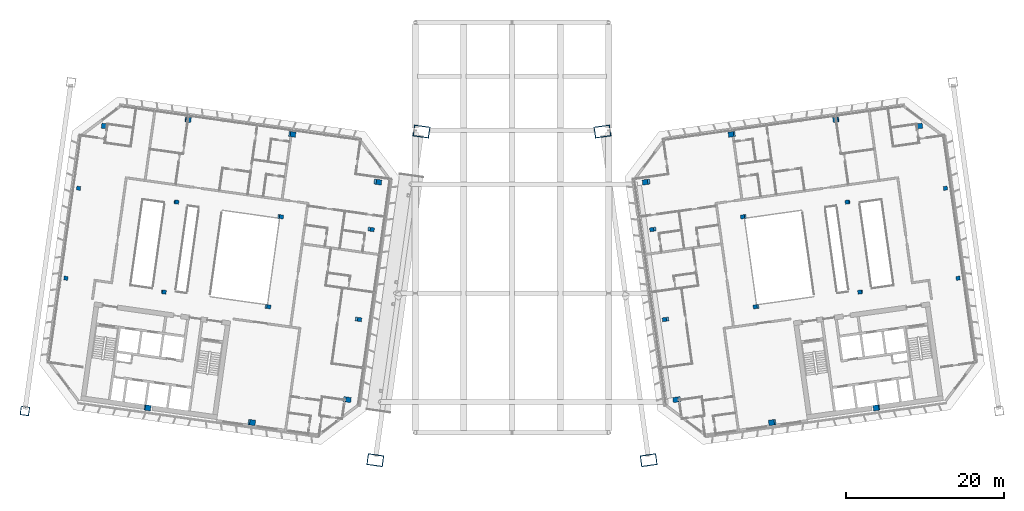
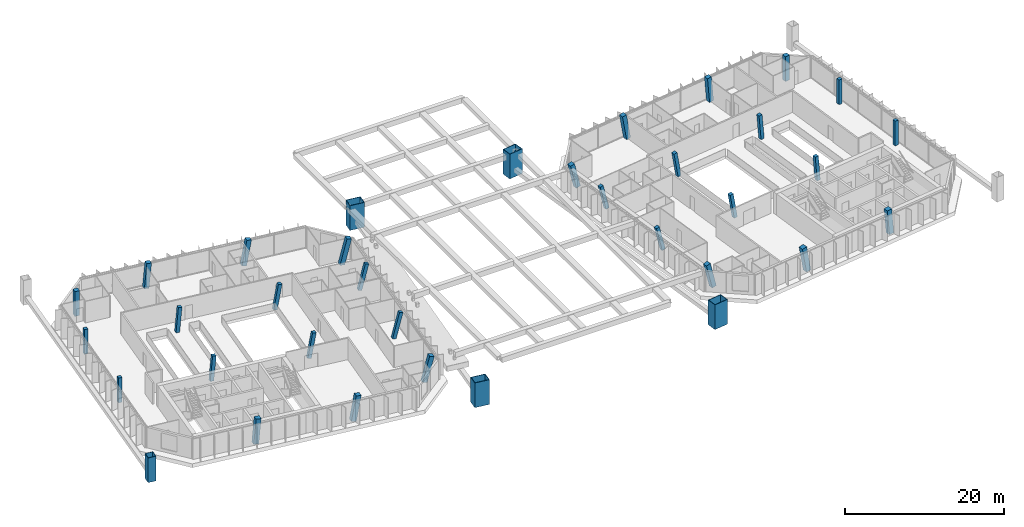
# One storey, part 1 of 36: 34 columns, 1 member.
"""IFC4 building model written with IfcOpenShell, lengths in metres."""

from ifc_helpers import new_model, si_unit, direction, frame, origin, origin_2d, place, context, subcontext, project, spatial, rectangle, hollow_rectangle, extrude, material, material_profile, profile_set, type_object, element, save


model = new_model("IFC4")

# Units and contexts
model_context = context("Model", 3, precision=1e-05, world=origin(), true_north=direction((0.0, 1.0)))
body_context = subcontext(model_context, "Body", "Model", "MODEL_VIEW")
ifc_project = project(units=[si_unit("LENGTHUNIT", "METRE"), si_unit("AREAUNIT", "SQUARE_METRE"), si_unit("VOLUMEUNIT", "CUBIC_METRE"), si_unit("PLANEANGLEUNIT", "RADIAN"), si_unit("MASSUNIT", "GRAM", prefix="KILO")], contexts=[model_context])

# Site, building, storey
site_placement = place(None, origin())
site = spatial("IfcSite", under=ifc_project, at=site_placement, CompositionType="ELEMENT")
building_placement = place(site_placement, origin())
building = spatial("IfcBuilding", under=site, at=building_placement, Name="Mirante Cascada Hotel Towers", CompositionType="ELEMENT")
storey_placement = place(building_placement, frame((0.0, 0.0, 254.6)))
storey = spatial("IfcBuildingStorey", under=building, at=storey_placement, Name="L61", CompositionType="ELEMENT", Elevation=254.6)

# Columns
ifc_material_1 = material(Name="Steel ASTM A572 Gr 50", Category="steel")
ifc_material_profile_1 = material_profile(ifc_material_1, hollow_rectangle(XDim=2.0, YDim=1.4, WallThickness=0.06, at=origin_2d()), Name="Box column 1400x2000x60 ASTM A572 Gr 50")
ifc_profile_set_1 = profile_set([ifc_material_profile_1], Name="Steel ASTM A572 Gr 50")
column_type_1 = type_object("IfcColumnType", Name="Box column 1400x2000x60 ASTM A572 Gr 50", PredefinedType="COLUMN", material=ifc_profile_set_1)
for number, where, z_axis, x_axis, name in (
    (1, (-11.4512, 16.5995, 0.0), (0.0, 0.0, 1.0), (-0.9902681, 0.1391731, 0.0), "Mega column MC1 T1 L61"),
    (2, (-17.2965, -24.9917, 0.0), (0.0, 0.0, 1.0), (-0.9902681, 0.1391731, 0.0), "Mega column MC2 T1 L61"),
    (3, (11.4512, 16.5995, 0.0), (0.0, 0.0, 1.0), (0.9902681, 0.1391731, 0.0), "Mega column MC1 T2 L61"),
    (4, (17.2965, -24.9917, 0.0), (0.0, 0.0, 1.0), (0.9902681, 0.1391731, 0.0), "Mega column MC2 T2 L61"),
):
    element("IfcColumn", number, at=place(storey_placement, frame(where, z_axis=z_axis, x_axis=x_axis)), inside=storey, type_object=column_type_1, Name=name, PredefinedType="COLUMN", context=body_context, shape_type="SweptSolid", body=[
        extrude(hollow_rectangle(XDim=2.0, YDim=1.4, WallThickness=0.06, at=origin_2d()), origin(), (0.0, 0.0, 1.0), 3.8),
    ])
ifc_material_2 = material(Name="Concrete C50/60", Category="concrete")
ifc_material_profile_2 = material_profile(ifc_material_2, rectangle(XDim=0.5, YDim=0.5, at=origin_2d()), Name="RC column 500x500 C50/60")
ifc_profile_set_2 = profile_set([ifc_material_profile_2], Name="Concrete C50/60")
column_type_2 = type_object("IfcColumnType", Name="RC column 500x500 C50/60", PredefinedType="COLUMN", material=ifc_profile_set_2)
for number, where, z_axis, x_axis, name in (
    (5, (-17.978, 4.2376, 0.0039), (0.240627, -0.0338162, 0.9700284), (0.1391661, 0.990269, 0.0), "Column T1 L61 2"),
    (6, (-19.5785, -7.1505, 0.0039), (0.240627, -0.0338162, 0.9700284), (0.1391661, 0.990269, 0.0), "Column T1 L61 3"),
):
    element("IfcColumn", number, at=place(storey_placement, frame(where, z_axis=z_axis, x_axis=x_axis)), inside=storey, type_object=column_type_2, Name=name, PredefinedType="COLUMN", context=body_context, shape_type="SweptSolid", body=[
        extrude(rectangle(XDim=0.5, YDim=0.5, at=origin_2d()), origin(), (0.0, 0.0, 1.0), 3.9094),
    ])
for number, where, z_axis, x_axis, name in (
    (7, (-29.377, 5.8396, 0.0039), (0.1697758, -0.0238751, 0.9851935), (0.1392572, 0.9902563, 0.0), "Column T1 L61 6"),
    (8, (-30.9774, -5.5485, 0.0039), (0.1697507, -0.0238493, 0.9851984), (0.1391294, 0.9902742, 0.0), "Column T1 L61 7"),
):
    element("IfcColumn", number, at=place(storey_placement, frame(where, z_axis=z_axis, x_axis=x_axis)), inside=storey, type_object=column_type_2, Name=name, PredefinedType="COLUMN", context=body_context, shape_type="SweptSolid", body=[
        extrude(rectangle(XDim=0.5, YDim=0.5, at=origin_2d()), origin(), (0.0, 0.0, 1.0), 3.8492),
    ])
for number, where, z_axis, x_axis, name in (
    (9, (-42.5108, 7.6854, 0.004), (0.0858308, -0.0120589, 0.9962367), (0.1391294, 0.9902742, 0.0), "Column T1 L61 10"),
    (10, (-44.1113, -3.7027, 0.004), (0.0858308, -0.0120589, 0.9962367), (0.1391294, 0.9902742, 0.0), "Column T1 L61 11"),
):
    element("IfcColumn", number, at=place(storey_placement, frame(where, z_axis=z_axis, x_axis=x_axis)), inside=storey, type_object=column_type_2, Name=name, PredefinedType="COLUMN", context=body_context, shape_type="SweptSolid", body=[
        extrude(rectangle(XDim=0.5, YDim=0.5, at=origin_2d()), origin(), (0.0, 0.0, 1.0), 3.8063),
    ])
for number, where, z_axis, x_axis, name in (
    (11, (-54.8525, 9.4199, 0.0), (0.0, 0.0, 1.0), (-0.9902681, 0.1391731, 0.0), "Column T1 L61 14"),
    (12, (-56.453, -1.9681, 0.0), (0.0, 0.0, 1.0), (-0.9902681, 0.1391731, 0.0), "Column T1 L61 15"),
):
    element("IfcColumn", number, at=place(storey_placement, frame(where, z_axis=z_axis, x_axis=x_axis)), inside=storey, type_object=column_type_2, Name=name, PredefinedType="COLUMN", context=body_context, shape_type="SweptSolid", body=[
        extrude(rectangle(XDim=0.5, YDim=0.5, at=origin_2d()), origin(), (0.0, 0.0, 1.0), 3.8),
    ])
for number, where, z_axis, x_axis, name in (
    (13, (17.978, 4.2376, 0.0039), (-0.240627, -0.0338162, 0.9700284), (0.1391661, -0.990269, 0.0), "Column T2 L61 2"),
    (14, (19.5785, -7.1505, 0.0039), (-0.240627, -0.0338162, 0.9700284), (0.1391661, -0.990269, 0.0), "Column T2 L61 3"),
):
    element("IfcColumn", number, at=place(storey_placement, frame(where, z_axis=z_axis, x_axis=x_axis)), inside=storey, type_object=column_type_2, Name=name, PredefinedType="COLUMN", context=body_context, shape_type="SweptSolid", body=[
        extrude(rectangle(XDim=0.5, YDim=0.5, at=origin_2d()), origin(), (0.0, 0.0, 1.0), 3.9094),
    ])
for number, where, z_axis, x_axis, name in (
    (15, (29.377, 5.8396, 0.0039), (-0.1697758, -0.0238751, 0.9851935), (0.1392572, -0.9902563, 0.0), "Column T2 L61 6"),
    (16, (30.9774, -5.5485, 0.0039), (-0.1697507, -0.0238493, 0.9851984), (0.1391294, -0.9902742, 0.0), "Column T2 L61 7"),
):
    element("IfcColumn", number, at=place(storey_placement, frame(where, z_axis=z_axis, x_axis=x_axis)), inside=storey, type_object=column_type_2, Name=name, PredefinedType="COLUMN", context=body_context, shape_type="SweptSolid", body=[
        extrude(rectangle(XDim=0.5, YDim=0.5, at=origin_2d()), origin(), (0.0, 0.0, 1.0), 3.8492),
    ])
for number, where, z_axis, x_axis, name in (
    (17, (42.5108, 7.6854, 0.004), (-0.0858308, -0.0120589, 0.9962367), (0.1391294, -0.9902742, 0.0), "Column T2 L61 10"),
    (18, (44.1113, -3.7027, 0.004), (-0.0858308, -0.0120589, 0.9962367), (0.1391294, -0.9902742, 0.0), "Column T2 L61 11"),
):
    element("IfcColumn", number, at=place(storey_placement, frame(where, z_axis=z_axis, x_axis=x_axis)), inside=storey, type_object=column_type_2, Name=name, PredefinedType="COLUMN", context=body_context, shape_type="SweptSolid", body=[
        extrude(rectangle(XDim=0.5, YDim=0.5, at=origin_2d()), origin(), (0.0, 0.0, 1.0), 3.8063),
    ])
for number, where, z_axis, x_axis, name in (
    (19, (54.8525, 9.4199, 0.0), (0.0, 0.0, 1.0), (0.9902681, 0.1391731, 0.0), "Column T2 L61 14"),
    (20, (56.453, -1.9681, 0.0), (0.0, 0.0, 1.0), (0.9902681, 0.1391731, 0.0), "Column T2 L61 15"),
):
    element("IfcColumn", number, at=place(storey_placement, frame(where, z_axis=z_axis, x_axis=x_axis)), inside=storey, type_object=column_type_2, Name=name, PredefinedType="COLUMN", context=body_context, shape_type="SweptSolid", body=[
        extrude(rectangle(XDim=0.5, YDim=0.5, at=origin_2d()), origin(), (0.0, 0.0, 1.0), 3.8),
    ])
ifc_material_3 = material(Name="Concrete C50/60", Category="concrete")
ifc_material_profile_3 = material_profile(ifc_material_3, rectangle(XDim=0.65, YDim=0.65, at=origin_2d()), Name="RC column 650x650 C50/60")
ifc_profile_set_3 = profile_set([ifc_material_profile_3], Name="Concrete C50/60")
column_type_3 = type_object("IfcColumnType", Name="RC column 650x650 C50/60", PredefinedType="COLUMN", material=ifc_profile_set_3)
for number, where, z_axis, x_axis, name in (
    (21, (-17.136, 10.2287, 0.0039), (0.240627, -0.0338162, 0.9700284), (0.1391661, 0.990269, 0.0), "Column T1 L61 1"),
    (22, (-21.005, -17.3008, 0.0039), (0.240627, -0.0338162, 0.9700284), (0.1391661, 0.990269, 0.0), "Column T1 L61 4"),
):
    element("IfcColumn", number, at=place(storey_placement, frame(where, z_axis=z_axis, x_axis=x_axis)), inside=storey, type_object=column_type_3, Name=name, PredefinedType="COLUMN", context=body_context, shape_type="SweptSolid", body=[
        extrude(rectangle(XDim=0.65, YDim=0.65, at=origin_2d()), origin(), (0.0, 0.0, 1.0), 3.9094),
    ])
column_1_placement = place(storey_placement, frame((-27.9122, 16.2622, 0.0039), z_axis=(0.1697758, -0.0238751, 0.9851935), x_axis=(0.1392572, 0.9902563, 0.0)))
element("IfcColumn", 23, at=column_1_placement, inside=storey, type_object=column_type_3, Name="Column T1 L61 5", PredefinedType="COLUMN", context=body_context, shape_type="SweptSolid", body=[
    extrude(rectangle(XDim=0.65, YDim=0.65, at=origin_2d()), origin(), (0.0, 0.0, 1.0), 3.8492),
])
column_2_placement = place(storey_placement, frame((-41.046, 18.108, 0.004), z_axis=(0.0858308, -0.0120589, 0.9962367), x_axis=(0.1391294, 0.9902742, 0.0)))
element("IfcColumn", 24, at=column_2_placement, inside=storey, type_object=column_type_3, Name="Column T1 L61 9", PredefinedType="COLUMN", context=body_context, shape_type="SweptSolid", body=[
    extrude(rectangle(XDim=0.65, YDim=0.65, at=origin_2d()), origin(), (0.0, 0.0, 1.0), 3.8063),
])
column_3_placement = place(storey_placement, frame((-51.6248, 17.2974, 0.0), z_axis=(0.0, 0.0, 1.0), x_axis=(-0.9902681, 0.1391731, 0.0)))
element("IfcColumn", 25, at=column_3_placement, inside=storey, type_object=column_type_3, Name="Column T1 L61 13", PredefinedType="COLUMN", context=body_context, shape_type="SweptSolid", body=[
    extrude(rectangle(XDim=0.65, YDim=0.65, at=origin_2d()), origin(), (0.0, 0.0, 1.0), 3.8),
])
for number, where, z_axis, x_axis, name in (
    (26, (17.136, 10.2287, 0.0039), (-0.240627, -0.0338162, 0.9700284), (0.1391661, -0.990269, 0.0), "Column T2 L61 1"),
    (27, (21.005, -17.3008, 0.0039), (-0.240627, -0.0338162, 0.9700284), (0.1391661, -0.990269, 0.0), "Column T2 L61 4"),
):
    element("IfcColumn", number, at=place(storey_placement, frame(where, z_axis=z_axis, x_axis=x_axis)), inside=storey, type_object=column_type_3, Name=name, PredefinedType="COLUMN", context=body_context, shape_type="SweptSolid", body=[
        extrude(rectangle(XDim=0.65, YDim=0.65, at=origin_2d()), origin(), (0.0, 0.0, 1.0), 3.9094),
    ])
column_4_placement = place(storey_placement, frame((27.9122, 16.2622, 0.0039), z_axis=(-0.1697758, -0.0238751, 0.9851935), x_axis=(0.1392572, -0.9902563, 0.0)))
element("IfcColumn", 28, at=column_4_placement, inside=storey, type_object=column_type_3, Name="Column T2 L61 5", PredefinedType="COLUMN", context=body_context, shape_type="SweptSolid", body=[
    extrude(rectangle(XDim=0.65, YDim=0.65, at=origin_2d()), origin(), (0.0, 0.0, 1.0), 3.8492),
])
column_5_placement = place(storey_placement, frame((41.046, 18.108, 0.004), z_axis=(-0.0858308, -0.0120589, 0.9962367), x_axis=(0.1391294, -0.9902742, 0.0)))
element("IfcColumn", 29, at=column_5_placement, inside=storey, type_object=column_type_3, Name="Column T2 L61 9", PredefinedType="COLUMN", context=body_context, shape_type="SweptSolid", body=[
    extrude(rectangle(XDim=0.65, YDim=0.65, at=origin_2d()), origin(), (0.0, 0.0, 1.0), 3.8063),
])
column_6_placement = place(storey_placement, frame((51.6248, 17.2974, 0.0), z_axis=(0.0, 0.0, 1.0), x_axis=(0.9902681, 0.1391731, 0.0)))
element("IfcColumn", 30, at=column_6_placement, inside=storey, type_object=column_type_3, Name="Column T2 L61 13", PredefinedType="COLUMN", context=body_context, shape_type="SweptSolid", body=[
    extrude(rectangle(XDim=0.65, YDim=0.65, at=origin_2d()), origin(), (0.0, 0.0, 1.0), 3.8),
])
ifc_material_4 = material(Name="Concrete C50/60", Category="concrete")
ifc_material_profile_4 = material_profile(ifc_material_4, rectangle(XDim=0.7, YDim=0.7, at=origin_2d()), Name="RC column 700x700 C50/60")
ifc_profile_set_4 = profile_set([ifc_material_profile_4], Name="Concrete C50/60")
column_type_4 = type_object("IfcColumnType", Name="RC column 700x700 C50/60", PredefinedType="COLUMN", material=ifc_profile_set_4)
column_7_placement = place(storey_placement, frame((-33.0372, -20.2045, 0.0039), z_axis=(0.1697507, -0.0238493, 0.9851984), x_axis=(0.1391294, 0.9902742, 0.0)))
element("IfcColumn", 31, at=column_7_placement, inside=storey, type_object=column_type_4, Name="Column T1 L61 8", PredefinedType="COLUMN", context=body_context, shape_type="SweptSolid", body=[
    extrude(rectangle(XDim=0.7, YDim=0.7, at=origin_2d()), origin(), (0.0, 0.0, 1.0), 3.8492),
])
column_8_placement = place(storey_placement, frame((-46.1711, -18.3586, 0.004), z_axis=(0.0858308, -0.0120589, 0.9962367), x_axis=(0.1391294, 0.9902742, 0.0)))
element("IfcColumn", 32, at=column_8_placement, inside=storey, type_object=column_type_4, Name="Column T1 L61 12", PredefinedType="COLUMN", context=body_context, shape_type="SweptSolid", body=[
    extrude(rectangle(XDim=0.7, YDim=0.7, at=origin_2d()), origin(), (0.0, 0.0, 1.0), 3.8063),
])
column_9_placement = place(storey_placement, frame((33.0372, -20.2045, 0.0039), z_axis=(-0.1697507, -0.0238493, 0.9851984), x_axis=(0.1391294, -0.9902742, 0.0)))
element("IfcColumn", 33, at=column_9_placement, inside=storey, type_object=column_type_4, Name="Column T2 L61 8", PredefinedType="COLUMN", context=body_context, shape_type="SweptSolid", body=[
    extrude(rectangle(XDim=0.7, YDim=0.7, at=origin_2d()), origin(), (0.0, 0.0, 1.0), 3.8492),
])
column_10_placement = place(storey_placement, frame((46.1711, -18.3586, 0.004), z_axis=(-0.0858308, -0.0120589, 0.9962367), x_axis=(0.1391294, -0.9902742, 0.0)))
element("IfcColumn", 34, at=column_10_placement, inside=storey, type_object=column_type_4, Name="Column T2 L61 12", PredefinedType="COLUMN", context=body_context, shape_type="SweptSolid", body=[
    extrude(rectangle(XDim=0.7, YDim=0.7, at=origin_2d()), origin(), (0.0, 0.0, 1.0), 3.8063),
])

# Member
ifc_material_5 = material(Name="Steel ASTM A572 Gr 50", Category="steel")
ifc_material_profile_5 = material_profile(ifc_material_5, hollow_rectangle(XDim=1.1, YDim=1.1, WallThickness=0.05, at=origin_2d()), Name="Box post 1100x1100x50 ASTM A572 Gr 50")
ifc_profile_set_5 = profile_set([ifc_material_profile_5], Name="Steel ASTM A572 Gr 50")
member_type = type_object("IfcMemberType", Name="Box post 1100x1100x50 ASTM A572 Gr 50", PredefinedType="POST", material=ifc_profile_set_5)
member_placement = place(storey_placement, frame((-61.6404, -18.7596, 0.0), z_axis=(0.0, 0.0, 1.0), x_axis=(-0.9902681, 0.1391731, 0.0)))
element("IfcMember", 35, at=member_placement, inside=storey, type_object=member_type, Name="Mega column MP4 T1 L61", PredefinedType="POST", context=body_context, shape_type="SweptSolid", body=[
    extrude(hollow_rectangle(XDim=1.1, YDim=1.1, WallThickness=0.05, at=origin_2d()), origin(), (0.0, 0.0, 1.0), 3.8),
])

save(model, "model.ifc")
